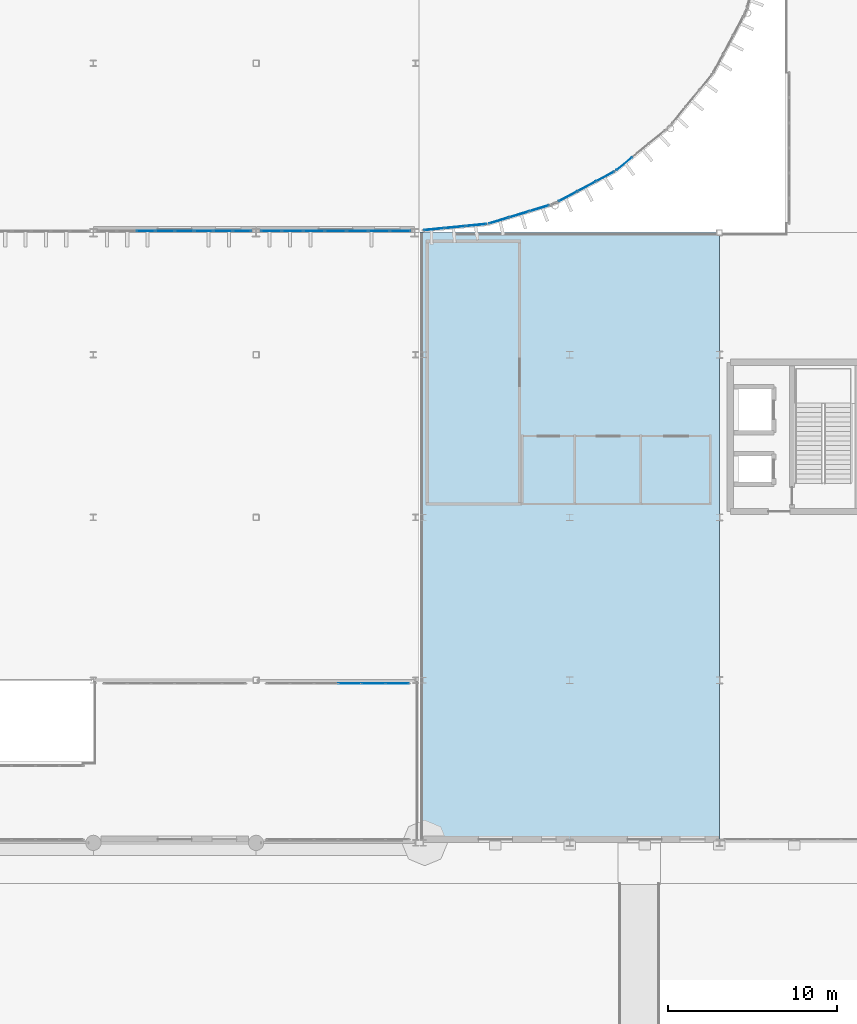
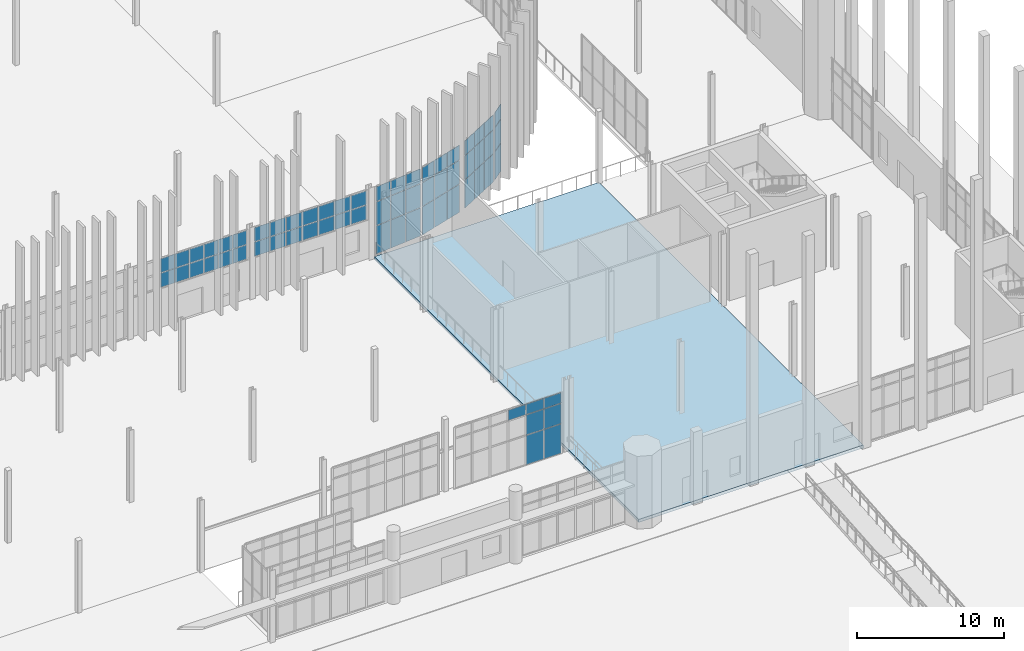
# One storey, part 81 of 139: 63 plates, 1 slab, 7 elements without a shape of their own.
"""IFC4 building model written with IfcOpenShell, lengths in metres."""

from ifc_helpers import new_model, si_unit, direction, frame, origin, origin_2d, place, context, subcontext, project, spatial, polyline, rectangle, outline, extrude, material, layer, layer_set, type_object, element, aggregate, save


model = new_model("IFC4")

# Units and contexts
model_context = context("Model", 3, precision=1e-05, world=origin(), true_north=direction((0.0, 1.0)))
body_context = subcontext(model_context, "Body", "Model", "MODEL_VIEW")
ifc_project = project(units=[si_unit("LENGTHUNIT", "METRE"), si_unit("AREAUNIT", "SQUARE_METRE"), si_unit("VOLUMEUNIT", "CUBIC_METRE"), si_unit("PLANEANGLEUNIT", "RADIAN"), si_unit("MASSUNIT", "GRAM", prefix="KILO")], contexts=[model_context])

# Site, building, storey
site_placement = place(None, origin())
site = spatial("IfcSite", under=ifc_project, at=site_placement, CompositionType="ELEMENT")
building_placement = place(site_placement, origin())
building = spatial("IfcBuilding", under=site, at=building_placement, Name="Yeouljin Market Hall", CompositionType="ELEMENT")
storey_placement = place(building_placement, origin())
storey = spatial("IfcBuildingStorey", under=building, at=storey_placement, Name="L00", CompositionType="ELEMENT", Elevation=0.0)

# Curtain wall, plates
ifc_material_1 = material(Name="Thermally Broken Aluminium", Category="aluminium")
ifc_layer_1 = layer(ifc_material_1, 0.179931640625)
ifc_layer_set_1 = layer_set([ifc_layer_1], Name="Thermally Broken Aluminium")
curtain_wall_type_1 = type_object("IfcCurtainWallType", Name="CW_ApseCurved_System", PredefinedType="USERDEFINED", material=ifc_layer_set_1)
curtain_wall_1_placement = place(storey_placement, origin())
curtain_wall_1 = element("IfcCurtainWall", 1, at=curtain_wall_1_placement, inside=storey, type_object=curtain_wall_type_1, Name="Curtain wall CW-AP-EL00-01", ObjectType="CURTAIN WALL", PredefinedType="USERDEFINED")
ifc_material_2 = material(Name="Low-E Insulated Glass", Category="glass")
ifc_layer_2 = layer(ifc_material_2, 0.031982421875)
ifc_layer_set_2 = layer_set([ifc_layer_2], Name="Low-E Insulated Glass")
plate_type_1 = type_object("IfcPlateType", Name="CWPanel_AcousticGlass_32", PredefinedType="CURTAIN_PANEL", material=ifc_layer_set_2)
plate_1_placement = place(storey_placement, frame((144.39599609375, 36.45458984375, 0.0478515625), z_axis=(0.0, 0.0, 1.0), x_axis=(-0.995183051807, -0.09803414403, 0.0)))
plate_1 = element("IfcPlate", 2, at=plate_1_placement, type_object=plate_type_1, Name="CW-03 panel 1.1", PredefinedType="CURTAIN_PANEL", context=body_context, shape_type="SweptSolid", body=[
    extrude(rectangle(XDim=1.185791015625, YDim=0.031982421875, at=origin_2d()), origin(), (0.0, 0.0, 1.0), 2.327880859375),
])
plate_2_placement = place(storey_placement, frame((144.39599609375, 36.45458984375, 2.423828125), z_axis=(0.0, 0.0, 1.0), x_axis=(-0.995183051807, -0.09803414403, 0.0)))
plate_2 = element("IfcPlate", 3, at=plate_2_placement, type_object=plate_type_1, Name="CW-03 panel 1.2", PredefinedType="CURTAIN_PANEL", context=body_context, shape_type="SweptSolid", body=[
    extrude(rectangle(XDim=1.185791015625, YDim=0.031982421875, at=origin_2d()), origin(), (0.0, 0.0, 1.0), 1.951904296875),
])
plate_3_placement = place(storey_placement, frame((144.39599609375, 36.45458984375, 4.424072265625), z_axis=(0.0, 0.0, 1.0), x_axis=(-0.995183051807, -0.09803414403, 0.0)))
plate_3 = element("IfcPlate", 4, at=plate_3_placement, type_object=plate_type_1, Name="CW-03 panel 1.3", PredefinedType="CURTAIN_PANEL", context=body_context, shape_type="SweptSolid", body=[
    extrude(rectangle(XDim=1.185791015625, YDim=0.031982421875, at=origin_2d()), origin(), (0.0, 0.0, 1.0), 1.2080078125),
])
plate_4_placement = place(storey_placement, frame((143.15625, 36.332275390625, 0.0478515625), z_axis=(0.0, 0.0, 1.0), x_axis=(-0.995183051807, -0.09803414403, 0.0)))
plate_4 = element("IfcPlate", 5, at=plate_4_placement, type_object=plate_type_1, Name="CW-03 panel 2.1", PredefinedType="CURTAIN_PANEL", context=body_context, shape_type="SweptSolid", body=[
    extrude(rectangle(XDim=1.209716796875, YDim=0.031982421875, at=origin_2d()), origin(), (0.0, 0.0, 1.0), 2.327880859375),
])
plate_5_placement = place(storey_placement, frame((143.15625, 36.332275390625, 2.423828125), z_axis=(0.0, 0.0, 1.0), x_axis=(-0.995183051807, -0.09803414403, 0.0)))
plate_5 = element("IfcPlate", 6, at=plate_5_placement, type_object=plate_type_1, Name="CW-03 panel 2.2", PredefinedType="CURTAIN_PANEL", context=body_context, shape_type="SweptSolid", body=[
    extrude(rectangle(XDim=1.209716796875, YDim=0.031982421875, at=origin_2d()), origin(), (0.0, 0.0, 1.0), 1.951904296875),
])
plate_6_placement = place(storey_placement, frame((143.15625, 36.332275390625, 4.424072265625), z_axis=(0.0, 0.0, 1.0), x_axis=(-0.995183051807, -0.09803414403, 0.0)))
plate_6 = element("IfcPlate", 7, at=plate_6_placement, type_object=plate_type_1, Name="CW-03 panel 2.3", PredefinedType="CURTAIN_PANEL", context=body_context, shape_type="SweptSolid", body=[
    extrude(rectangle(XDim=1.209716796875, YDim=0.031982421875, at=origin_2d()), origin(), (0.0, 0.0, 1.0), 1.2080078125),
])
plate_7_placement = place(storey_placement, frame((141.91650390625, 36.210205078125, 0.0478515625), z_axis=(0.0, 0.0, 1.0), x_axis=(-0.995183051807, -0.09803414403, 0.0)))
plate_7 = element("IfcPlate", 8, at=plate_7_placement, type_object=plate_type_1, Name="CW-03 panel 3.1", PredefinedType="CURTAIN_PANEL", context=body_context, shape_type="SweptSolid", body=[
    extrude(rectangle(XDim=1.185791015625, YDim=0.031982421875, at=origin_2d()), origin(), (0.0, 0.0, 1.0), 2.327880859375),
])
plate_8_placement = place(storey_placement, frame((141.91650390625, 36.210205078125, 2.423828125), z_axis=(0.0, 0.0, 1.0), x_axis=(-0.995183051807, -0.09803414403, 0.0)))
plate_8 = element("IfcPlate", 9, at=plate_8_placement, type_object=plate_type_1, Name="CW-03 panel 3.2", PredefinedType="CURTAIN_PANEL", context=body_context, shape_type="SweptSolid", body=[
    extrude(rectangle(XDim=1.185791015625, YDim=0.031982421875, at=origin_2d()), origin(), (0.0, 0.0, 1.0), 1.951904296875),
])
plate_9_placement = place(storey_placement, frame((141.91650390625, 36.210205078125, 4.424072265625), z_axis=(0.0, 0.0, 1.0), x_axis=(-0.995183051807, -0.09803414403, 0.0)))
plate_9 = element("IfcPlate", 10, at=plate_9_placement, type_object=plate_type_1, Name="CW-03 panel 3.3", PredefinedType="CURTAIN_PANEL", context=body_context, shape_type="SweptSolid", body=[
    extrude(rectangle(XDim=1.185791015625, YDim=0.031982421875, at=origin_2d()), origin(), (0.0, 0.0, 1.0), 1.2080078125),
])
aggregate(curtain_wall_1, [plate_1, plate_2, plate_3, plate_4, plate_5, plate_6, plate_7, plate_8, plate_9])

curtain_wall_2_placement = place(storey_placement, origin())
curtain_wall_2 = element("IfcCurtainWall", 11, at=curtain_wall_2_placement, inside=storey, type_object=curtain_wall_type_1, Name="Curtain wall CW-AP-EL00-02", ObjectType="CURTAIN WALL", PredefinedType="USERDEFINED")
plate_10_placement = place(storey_placement, frame((148.109130859375, 37.442138671875, 0.0478515625), z_axis=(0.0, 0.0, 1.0), x_axis=(-0.95693988447, -0.290286164863, 0.0)))
plate_10 = element("IfcPlate", 12, at=plate_10_placement, type_object=plate_type_1, Name="CW-03 panel 1.1", PredefinedType="CURTAIN_PANEL", context=body_context, shape_type="SweptSolid", body=[
    extrude(rectangle(XDim=1.185791015625, YDim=0.031982421875, at=origin_2d()), origin(), (0.0, 0.0, 1.0), 2.327880859375),
])
plate_11_placement = place(storey_placement, frame((148.109130859375, 37.442138671875, 2.423828125), z_axis=(0.0, 0.0, 1.0), x_axis=(-0.95693988447, -0.290286164863, 0.0)))
plate_11 = element("IfcPlate", 13, at=plate_11_placement, type_object=plate_type_1, Name="CW-03 panel 1.2", PredefinedType="CURTAIN_PANEL", context=body_context, shape_type="SweptSolid", body=[
    extrude(rectangle(XDim=1.185791015625, YDim=0.031982421875, at=origin_2d()), origin(), (0.0, 0.0, 1.0), 1.951904296875),
])
plate_12_placement = place(storey_placement, frame((148.109130859375, 37.442138671875, 4.424072265625), z_axis=(0.0, 0.0, 1.0), x_axis=(-0.95693988447, -0.290286164863, 0.0)))
plate_12 = element("IfcPlate", 14, at=plate_12_placement, type_object=plate_type_1, Name="CW-03 panel 1.3", PredefinedType="CURTAIN_PANEL", context=body_context, shape_type="SweptSolid", body=[
    extrude(rectangle(XDim=1.185791015625, YDim=0.031982421875, at=origin_2d()), origin(), (0.0, 0.0, 1.0), 1.2080078125),
])
plate_13_placement = place(storey_placement, frame((146.917236328125, 37.08056640625, 0.0478515625), z_axis=(0.0, 0.0, 1.0), x_axis=(-0.95693988447, -0.290286164863, 0.0)))
plate_13 = element("IfcPlate", 15, at=plate_13_placement, type_object=plate_type_1, Name="CW-03 panel 2.1", PredefinedType="CURTAIN_PANEL", context=body_context, shape_type="SweptSolid", body=[
    extrude(rectangle(XDim=1.209716796875, YDim=0.031982421875, at=origin_2d()), origin(), (0.0, 0.0, 1.0), 2.327880859375),
])
plate_14_placement = place(storey_placement, frame((146.917236328125, 37.08056640625, 2.423828125), z_axis=(0.0, 0.0, 1.0), x_axis=(-0.95693988447, -0.290286164863, 0.0)))
plate_14 = element("IfcPlate", 16, at=plate_14_placement, type_object=plate_type_1, Name="CW-03 panel 2.2", PredefinedType="CURTAIN_PANEL", context=body_context, shape_type="SweptSolid", body=[
    extrude(rectangle(XDim=1.209716796875, YDim=0.031982421875, at=origin_2d()), origin(), (0.0, 0.0, 1.0), 1.951904296875),
])
plate_15_placement = place(storey_placement, frame((146.917236328125, 37.08056640625, 4.424072265625), z_axis=(0.0, 0.0, 1.0), x_axis=(-0.95693988447, -0.290286164863, 0.0)))
plate_15 = element("IfcPlate", 17, at=plate_15_placement, type_object=plate_type_1, Name="CW-03 panel 2.3", PredefinedType="CURTAIN_PANEL", context=body_context, shape_type="SweptSolid", body=[
    extrude(rectangle(XDim=1.209716796875, YDim=0.031982421875, at=origin_2d()), origin(), (0.0, 0.0, 1.0), 1.2080078125),
])
plate_16_placement = place(storey_placement, frame((145.72509765625, 36.71875, 0.0478515625), z_axis=(0.0, 0.0, 1.0), x_axis=(-0.95693988447, -0.290286164863, 0.0)))
plate_16 = element("IfcPlate", 18, at=plate_16_placement, type_object=plate_type_1, Name="CW-03 panel 3.1", PredefinedType="CURTAIN_PANEL", context=body_context, shape_type="SweptSolid", body=[
    extrude(rectangle(XDim=1.185791015625, YDim=0.031982421875, at=origin_2d()), origin(), (0.0, 0.0, 1.0), 2.327880859375),
])
plate_17_placement = place(storey_placement, frame((145.72509765625, 36.71875, 2.423828125), z_axis=(0.0, 0.0, 1.0), x_axis=(-0.95693988447, -0.290286164863, 0.0)))
plate_17 = element("IfcPlate", 19, at=plate_17_placement, type_object=plate_type_1, Name="CW-03 panel 3.2", PredefinedType="CURTAIN_PANEL", context=body_context, shape_type="SweptSolid", body=[
    extrude(rectangle(XDim=1.185791015625, YDim=0.031982421875, at=origin_2d()), origin(), (0.0, 0.0, 1.0), 1.951904296875),
])
plate_18_placement = place(storey_placement, frame((145.72509765625, 36.71875, 4.424072265625), z_axis=(0.0, 0.0, 1.0), x_axis=(-0.95693988447, -0.290286164863, 0.0)))
plate_18 = element("IfcPlate", 20, at=plate_18_placement, type_object=plate_type_1, Name="CW-03 panel 3.3", PredefinedType="CURTAIN_PANEL", context=body_context, shape_type="SweptSolid", body=[
    extrude(rectangle(XDim=1.185791015625, YDim=0.031982421875, at=origin_2d()), origin(), (0.0, 0.0, 1.0), 1.2080078125),
])
aggregate(curtain_wall_2, [plate_10, plate_11, plate_12, plate_13, plate_14, plate_15, plate_16, plate_17, plate_18])

curtain_wall_3_placement = place(storey_placement, origin())
curtain_wall_3 = element("IfcCurtainWall", 21, at=curtain_wall_3_placement, inside=storey, type_object=curtain_wall_type_1, Name="Curtain wall CW-AP-EL00-03", ObjectType="CURTAIN WALL", PredefinedType="USERDEFINED")
plate_19_placement = place(storey_placement, frame((151.999755859375, 39.31787109375, 0.0478515625), z_axis=(0.0, 0.0, 1.0), x_axis=(-0.881931478712, -0.471377626598, 0.0)))
plate_19 = element("IfcPlate", 22, at=plate_19_placement, type_object=plate_type_1, Name="CW-03 panel 1.1", PredefinedType="CURTAIN_PANEL", context=body_context, shape_type="SweptSolid", body=[
    extrude(rectangle(XDim=1.185791015625, YDim=0.031982421875, at=origin_2d()), origin(), (0.0, 0.0, 1.0), 2.327880859375),
])
plate_20_placement = place(storey_placement, frame((151.999755859375, 39.31787109375, 2.423828125), z_axis=(0.0, 0.0, 1.0), x_axis=(-0.881931478712, -0.471377626598, 0.0)))
plate_20 = element("IfcPlate", 23, at=plate_20_placement, type_object=plate_type_1, Name="CW-03 panel 1.2", PredefinedType="CURTAIN_PANEL", context=body_context, shape_type="SweptSolid", body=[
    extrude(rectangle(XDim=1.185791015625, YDim=0.031982421875, at=origin_2d()), origin(), (0.0, 0.0, 1.0), 1.951904296875),
])
plate_21_placement = place(storey_placement, frame((151.999755859375, 39.31787109375, 4.424072265625), z_axis=(0.0, 0.0, 1.0), x_axis=(-0.881931478712, -0.471377626598, 0.0)))
plate_21 = element("IfcPlate", 24, at=plate_21_placement, type_object=plate_type_1, Name="CW-03 panel 1.3", PredefinedType="CURTAIN_PANEL", context=body_context, shape_type="SweptSolid", body=[
    extrude(rectangle(XDim=1.185791015625, YDim=0.031982421875, at=origin_2d()), origin(), (0.0, 0.0, 1.0), 1.2080078125),
])
plate_22_placement = place(storey_placement, frame((150.901123046875, 38.730712890625, 0.0478515625), z_axis=(0.0, 0.0, 1.0), x_axis=(-0.881931478712, -0.471377626598, 0.0)))
plate_22 = element("IfcPlate", 25, at=plate_22_placement, type_object=plate_type_1, Name="CW-03 panel 2.1", PredefinedType="CURTAIN_PANEL", context=body_context, shape_type="SweptSolid", body=[
    extrude(rectangle(XDim=1.209716796875, YDim=0.031982421875, at=origin_2d()), origin(), (0.0, 0.0, 1.0), 2.327880859375),
])
plate_23_placement = place(storey_placement, frame((150.901123046875, 38.730712890625, 2.423828125), z_axis=(0.0, 0.0, 1.0), x_axis=(-0.881931478712, -0.471377626598, 0.0)))
plate_23 = element("IfcPlate", 26, at=plate_23_placement, type_object=plate_type_1, Name="CW-03 panel 2.2", PredefinedType="CURTAIN_PANEL", context=body_context, shape_type="SweptSolid", body=[
    extrude(rectangle(XDim=1.209716796875, YDim=0.031982421875, at=origin_2d()), origin(), (0.0, 0.0, 1.0), 1.951904296875),
])
plate_24_placement = place(storey_placement, frame((150.901123046875, 38.730712890625, 4.424072265625), z_axis=(0.0, 0.0, 1.0), x_axis=(-0.881931478712, -0.471377626598, 0.0)))
plate_24 = element("IfcPlate", 27, at=plate_24_placement, type_object=plate_type_1, Name="CW-03 panel 2.3", PredefinedType="CURTAIN_PANEL", context=body_context, shape_type="SweptSolid", body=[
    extrude(rectangle(XDim=1.209716796875, YDim=0.031982421875, at=origin_2d()), origin(), (0.0, 0.0, 1.0), 1.2080078125),
])
plate_25_placement = place(storey_placement, frame((149.802490234375, 38.1435546875, 0.0478515625), z_axis=(0.0, 0.0, 1.0), x_axis=(-0.881931478712, -0.471377626598, 0.0)))
plate_25 = element("IfcPlate", 28, at=plate_25_placement, type_object=plate_type_1, Name="CW-03 panel 3.1", PredefinedType="CURTAIN_PANEL", context=body_context, shape_type="SweptSolid", body=[
    extrude(rectangle(XDim=1.185791015625, YDim=0.031982421875, at=origin_2d()), origin(), (0.0, 0.0, 1.0), 2.327880859375),
])
plate_26_placement = place(storey_placement, frame((149.802490234375, 38.1435546875, 2.423828125), z_axis=(0.0, 0.0, 1.0), x_axis=(-0.881931478712, -0.471377626598, 0.0)))
plate_26 = element("IfcPlate", 29, at=plate_26_placement, type_object=plate_type_1, Name="CW-03 panel 3.2", PredefinedType="CURTAIN_PANEL", context=body_context, shape_type="SweptSolid", body=[
    extrude(rectangle(XDim=1.185791015625, YDim=0.031982421875, at=origin_2d()), origin(), (0.0, 0.0, 1.0), 1.951904296875),
])
plate_27_placement = place(storey_placement, frame((149.802490234375, 38.1435546875, 4.424072265625), z_axis=(0.0, 0.0, 1.0), x_axis=(-0.881931478712, -0.471377626598, 0.0)))
plate_27 = element("IfcPlate", 30, at=plate_27_placement, type_object=plate_type_1, Name="CW-03 panel 3.3", PredefinedType="CURTAIN_PANEL", context=body_context, shape_type="SweptSolid", body=[
    extrude(rectangle(XDim=1.185791015625, YDim=0.031982421875, at=origin_2d()), origin(), (0.0, 0.0, 1.0), 1.2080078125),
])
aggregate(curtain_wall_3, [plate_19, plate_20, plate_21, plate_22, plate_23, plate_24, plate_25, plate_26, plate_27])

curtain_wall_4_placement = place(storey_placement, origin())
curtain_wall_4 = element("IfcCurtainWall", 31, at=curtain_wall_4_placement, inside=storey, type_object=curtain_wall_type_1, Name="Curtain wall CW-AP-EL00-04", ObjectType="CURTAIN WALL", PredefinedType="USERDEFINED")
plate_28_placement = place(storey_placement, frame((153.126708984375, 40.07080078125, 0.0478515625), z_axis=(0.0, 0.0, 1.0), x_axis=(-0.773017717982, -0.634384432096, 0.0)))
plate_28 = element("IfcPlate", 32, at=plate_28_placement, type_object=plate_type_1, Name="CW-03 panel 3.1", PredefinedType="CURTAIN_PANEL", context=body_context, shape_type="SweptSolid", body=[
    extrude(rectangle(XDim=1.185791015625, YDim=0.031982421875, at=origin_2d()), origin(), (0.0, 0.0, 1.0), 2.327880859375),
])
plate_29_placement = place(storey_placement, frame((153.126708984375, 40.07080078125, 2.423828125), z_axis=(0.0, 0.0, 1.0), x_axis=(-0.773017717982, -0.634384432096, 0.0)))
plate_29 = element("IfcPlate", 33, at=plate_29_placement, type_object=plate_type_1, Name="CW-03 panel 3.2", PredefinedType="CURTAIN_PANEL", context=body_context, shape_type="SweptSolid", body=[
    extrude(rectangle(XDim=1.185791015625, YDim=0.031982421875, at=origin_2d()), origin(), (0.0, 0.0, 1.0), 1.951904296875),
])
plate_30_placement = place(storey_placement, frame((153.126708984375, 40.07080078125, 4.424072265625), z_axis=(0.0, 0.0, 1.0), x_axis=(-0.773017717982, -0.634384432096, 0.0)))
plate_30 = element("IfcPlate", 34, at=plate_30_placement, type_object=plate_type_1, Name="CW-03 panel 3.3", PredefinedType="CURTAIN_PANEL", context=body_context, shape_type="SweptSolid", body=[
    extrude(rectangle(XDim=1.185791015625, YDim=0.031982421875, at=origin_2d()), origin(), (0.0, 0.0, 1.0), 1.2080078125),
])
aggregate(curtain_wall_4, [plate_28, plate_29, plate_30])

ifc_material_3 = material(Name="Thermally Broken Aluminium", Category="aluminium")
ifc_layer_3 = layer(ifc_material_3, 0.179931640625)
ifc_layer_set_3 = layer_set([ifc_layer_3], Name="Thermally Broken Aluminium")
curtain_wall_type_2 = type_object("IfcCurtainWallType", Name="CW_HallNave_System", PredefinedType="USERDEFINED", material=ifc_layer_set_3)
curtain_wall_5_placement = place(storey_placement, origin())
curtain_wall_5 = element("IfcCurtainWall", 35, at=curtain_wall_5_placement, inside=storey, type_object=curtain_wall_type_2, Name="Curtain wall CW-V1S-L00-10", ObjectType="CURTAIN WALL", PredefinedType="USERDEFINED")
ifc_material_4 = material(Name="Low-E Insulated Glass", Category="glass")
ifc_layer_4 = layer(ifc_material_4, 0.028076171875)
ifc_layer_set_4 = layer_set([ifc_layer_4], Name="Low-E Insulated Glass")
plate_type_2 = type_object("IfcPlateType", Name="CWPanel_LowE_28", PredefinedType="CURTAIN_PANEL", material=ifc_layer_set_4)
plate_31_placement = place(storey_placement, frame((130.5693359375, 36.10009765625, 3.248046875), z_axis=(0.0, 0.0, 1.0), x_axis=(-1.0, 0.0, 0.0)))
plate_31 = element("IfcPlate", 36, at=plate_31_placement, type_object=plate_type_2, Name="CW-01 panel 1.1", PredefinedType="CURTAIN_PANEL", context=body_context, shape_type="SweptSolid", body=[
    extrude(rectangle(XDim=1.0654296875, YDim=0.028076171875, at=origin_2d()), origin(), (0.0, 0.0, 1.0), 1.177978515625),
])
plate_32_placement = place(storey_placement, frame((130.5693359375, 36.10009765625, 4.47412109375), z_axis=(0.0, 0.0, 1.0), x_axis=(-1.0, 0.0, 0.0)))
plate_32 = element("IfcPlate", 37, at=plate_32_placement, type_object=plate_type_2, Name="CW-01 panel 1.2", PredefinedType="CURTAIN_PANEL", context=body_context, shape_type="SweptSolid", body=[
    extrude(rectangle(XDim=1.0654296875, YDim=0.028076171875, at=origin_2d()), origin(), (0.0, 0.0, 1.0), 1.157958984375),
])
plate_33_placement = place(storey_placement, frame((129.44384765625, 36.10009765625, 3.248046875), z_axis=(0.0, 0.0, 1.0), x_axis=(-1.0, 0.0, 0.0)))
plate_33 = element("IfcPlate", 38, at=plate_33_placement, type_object=plate_type_2, Name="CW-01 panel 2.1", PredefinedType="CURTAIN_PANEL", context=body_context, shape_type="SweptSolid", body=[
    extrude(rectangle(XDim=1.089599609375, YDim=0.028076171875, at=origin_2d()), origin(), (0.0, 0.0, 1.0), 1.177978515625),
])
plate_34_placement = place(storey_placement, frame((129.44384765625, 36.10009765625, 4.47412109375), z_axis=(0.0, 0.0, 1.0), x_axis=(-1.0, 0.0, 0.0)))
plate_34 = element("IfcPlate", 39, at=plate_34_placement, type_object=plate_type_2, Name="CW-01 panel 2.2", PredefinedType="CURTAIN_PANEL", context=body_context, shape_type="SweptSolid", body=[
    extrude(rectangle(XDim=1.089599609375, YDim=0.028076171875, at=origin_2d()), origin(), (0.0, 0.0, 1.0), 1.157958984375),
])
plate_35_placement = place(storey_placement, frame((128.30615234375, 36.10009765625, 3.248046875), z_axis=(0.0, 0.0, 1.0), x_axis=(-1.0, 0.0, 0.0)))
plate_35 = element("IfcPlate", 40, at=plate_35_placement, type_object=plate_type_2, Name="CW-01 panel 3.1", PredefinedType="CURTAIN_PANEL", context=body_context, shape_type="SweptSolid", body=[
    extrude(rectangle(XDim=1.089599609375, YDim=0.028076171875, at=origin_2d()), origin(), (0.0, 0.0, 1.0), 1.177978515625),
])
plate_36_placement = place(storey_placement, frame((128.30615234375, 36.10009765625, 4.47412109375), z_axis=(0.0, 0.0, 1.0), x_axis=(-1.0, 0.0, 0.0)))
plate_36 = element("IfcPlate", 41, at=plate_36_placement, type_object=plate_type_2, Name="CW-01 panel 3.2", PredefinedType="CURTAIN_PANEL", context=body_context, shape_type="SweptSolid", body=[
    extrude(rectangle(XDim=1.089599609375, YDim=0.028076171875, at=origin_2d()), origin(), (0.0, 0.0, 1.0), 1.157958984375),
])
plate_37_placement = place(storey_placement, frame((127.168701171875, 36.10009765625, 3.248046875), z_axis=(0.0, 0.0, 1.0), x_axis=(-1.0, 0.0, 0.0)))
plate_37 = element("IfcPlate", 42, at=plate_37_placement, type_object=plate_type_2, Name="CW-01 panel 4.1", PredefinedType="CURTAIN_PANEL", context=body_context, shape_type="SweptSolid", body=[
    extrude(rectangle(XDim=1.089599609375, YDim=0.028076171875, at=origin_2d()), origin(), (0.0, 0.0, 1.0), 1.177978515625),
])
plate_38_placement = place(storey_placement, frame((127.168701171875, 36.10009765625, 4.47412109375), z_axis=(0.0, 0.0, 1.0), x_axis=(-1.0, 0.0, 0.0)))
plate_38 = element("IfcPlate", 43, at=plate_38_placement, type_object=plate_type_2, Name="CW-01 panel 4.2", PredefinedType="CURTAIN_PANEL", context=body_context, shape_type="SweptSolid", body=[
    extrude(rectangle(XDim=1.089599609375, YDim=0.028076171875, at=origin_2d()), origin(), (0.0, 0.0, 1.0), 1.157958984375),
])
plate_39_placement = place(storey_placement, frame((126.03125, 36.10009765625, 3.248046875), z_axis=(0.0, 0.0, 1.0), x_axis=(-1.0, 0.0, 0.0)))
plate_39 = element("IfcPlate", 44, at=plate_39_placement, type_object=plate_type_2, Name="CW-01 panel 5.1", PredefinedType="CURTAIN_PANEL", context=body_context, shape_type="SweptSolid", body=[
    extrude(rectangle(XDim=1.089599609375, YDim=0.028076171875, at=origin_2d()), origin(), (0.0, 0.0, 1.0), 1.177978515625),
])
plate_40_placement = place(storey_placement, frame((126.03125, 36.10009765625, 4.47412109375), z_axis=(0.0, 0.0, 1.0), x_axis=(-1.0, 0.0, 0.0)))
plate_40 = element("IfcPlate", 45, at=plate_40_placement, type_object=plate_type_2, Name="CW-01 panel 5.2", PredefinedType="CURTAIN_PANEL", context=body_context, shape_type="SweptSolid", body=[
    extrude(rectangle(XDim=1.089599609375, YDim=0.028076171875, at=origin_2d()), origin(), (0.0, 0.0, 1.0), 1.157958984375),
])
plate_41_placement = place(storey_placement, frame((124.893798828125, 36.10009765625, 3.248046875), z_axis=(0.0, 0.0, 1.0), x_axis=(-1.0, 0.0, 0.0)))
plate_41 = element("IfcPlate", 46, at=plate_41_placement, type_object=plate_type_2, Name="CW-01 panel 6.1", PredefinedType="CURTAIN_PANEL", context=body_context, shape_type="SweptSolid", body=[
    extrude(rectangle(XDim=1.089599609375, YDim=0.028076171875, at=origin_2d()), origin(), (0.0, 0.0, 1.0), 1.177978515625),
])
plate_42_placement = place(storey_placement, frame((124.893798828125, 36.10009765625, 4.47412109375), z_axis=(0.0, 0.0, 1.0), x_axis=(-1.0, 0.0, 0.0)))
plate_42 = element("IfcPlate", 47, at=plate_42_placement, type_object=plate_type_2, Name="CW-01 panel 6.2", PredefinedType="CURTAIN_PANEL", context=body_context, shape_type="SweptSolid", body=[
    extrude(rectangle(XDim=1.089599609375, YDim=0.028076171875, at=origin_2d()), origin(), (0.0, 0.0, 1.0), 1.157958984375),
])
aggregate(curtain_wall_5, [plate_31, plate_32, plate_33, plate_34, plate_35, plate_36, plate_37, plate_38, plate_39, plate_40, plate_41, plate_42])

curtain_wall_6_placement = place(storey_placement, origin())
curtain_wall_6 = element("IfcCurtainWall", 48, at=curtain_wall_6_placement, inside=storey, type_object=curtain_wall_type_2, Name="Curtain wall CW-V1S-L00-11", ObjectType="CURTAIN WALL", PredefinedType="USERDEFINED")
plate_43_placement = place(storey_placement, frame((139.90234375, 36.10009765625, 3.248046875), z_axis=(0.0, 0.0, 1.0), x_axis=(-1.0, 0.0, 0.0)))
plate_43 = element("IfcPlate", 49, at=plate_43_placement, type_object=plate_type_2, Name="CW-01 panel 1.1", PredefinedType="CURTAIN_PANEL", context=body_context, shape_type="SweptSolid", body=[
    extrude(rectangle(XDim=1.199462890625, YDim=0.028076171875, at=origin_2d()), origin(), (0.0, 0.0, 1.0), 1.177978515625),
])
plate_44_placement = place(storey_placement, frame((139.90234375, 36.10009765625, 4.47412109375), z_axis=(0.0, 0.0, 1.0), x_axis=(-1.0, 0.0, 0.0)))
plate_44 = element("IfcPlate", 50, at=plate_44_placement, type_object=plate_type_2, Name="CW-01 panel 1.2", PredefinedType="CURTAIN_PANEL", context=body_context, shape_type="SweptSolid", body=[
    extrude(rectangle(XDim=1.199462890625, YDim=0.028076171875, at=origin_2d()), origin(), (0.0, 0.0, 1.0), 1.157958984375),
])
plate_45_placement = place(storey_placement, frame((138.642822265625, 36.10009765625, 3.248046875), z_axis=(0.0, 0.0, 1.0), x_axis=(-1.0, 0.0, 0.0)))
plate_45 = element("IfcPlate", 51, at=plate_45_placement, type_object=plate_type_2, Name="CW-01 panel 2.1", PredefinedType="CURTAIN_PANEL", context=body_context, shape_type="SweptSolid", body=[
    extrude(rectangle(XDim=1.223388671875, YDim=0.028076171875, at=origin_2d()), origin(), (0.0, 0.0, 1.0), 1.177978515625),
])
plate_46_placement = place(storey_placement, frame((138.642822265625, 36.10009765625, 4.47412109375), z_axis=(0.0, 0.0, 1.0), x_axis=(-1.0, 0.0, 0.0)))
plate_46 = element("IfcPlate", 52, at=plate_46_placement, type_object=plate_type_2, Name="CW-01 panel 2.2", PredefinedType="CURTAIN_PANEL", context=body_context, shape_type="SweptSolid", body=[
    extrude(rectangle(XDim=1.223388671875, YDim=0.028076171875, at=origin_2d()), origin(), (0.0, 0.0, 1.0), 1.157958984375),
])
plate_47_placement = place(storey_placement, frame((137.371337890625, 36.10009765625, 3.248046875), z_axis=(0.0, 0.0, 1.0), x_axis=(-1.0, 0.0, 0.0)))
plate_47 = element("IfcPlate", 53, at=plate_47_placement, type_object=plate_type_2, Name="CW-01 panel 3.1", PredefinedType="CURTAIN_PANEL", context=body_context, shape_type="SweptSolid", body=[
    extrude(rectangle(XDim=1.223388671875, YDim=0.028076171875, at=origin_2d()), origin(), (0.0, 0.0, 1.0), 1.177978515625),
])
plate_48_placement = place(storey_placement, frame((137.371337890625, 36.10009765625, 4.47412109375), z_axis=(0.0, 0.0, 1.0), x_axis=(-1.0, 0.0, 0.0)))
plate_48 = element("IfcPlate", 54, at=plate_48_placement, type_object=plate_type_2, Name="CW-01 panel 3.2", PredefinedType="CURTAIN_PANEL", context=body_context, shape_type="SweptSolid", body=[
    extrude(rectangle(XDim=1.223388671875, YDim=0.028076171875, at=origin_2d()), origin(), (0.0, 0.0, 1.0), 1.157958984375),
])
plate_49_placement = place(storey_placement, frame((136.10009765625, 36.10009765625, 3.248046875), z_axis=(0.0, 0.0, 1.0), x_axis=(-1.0, 0.0, 0.0)))
plate_49 = element("IfcPlate", 55, at=plate_49_placement, type_object=plate_type_2, Name="CW-01 panel 4.1", PredefinedType="CURTAIN_PANEL", context=body_context, shape_type="SweptSolid", body=[
    extrude(rectangle(XDim=1.223388671875, YDim=0.028076171875, at=origin_2d()), origin(), (0.0, 0.0, 1.0), 1.177978515625),
])
plate_50_placement = place(storey_placement, frame((136.10009765625, 36.10009765625, 4.47412109375), z_axis=(0.0, 0.0, 1.0), x_axis=(-1.0, 0.0, 0.0)))
plate_50 = element("IfcPlate", 56, at=plate_50_placement, type_object=plate_type_2, Name="CW-01 panel 4.2", PredefinedType="CURTAIN_PANEL", context=body_context, shape_type="SweptSolid", body=[
    extrude(rectangle(XDim=1.223388671875, YDim=0.028076171875, at=origin_2d()), origin(), (0.0, 0.0, 1.0), 1.157958984375),
])
plate_51_placement = place(storey_placement, frame((134.82861328125, 36.10009765625, 3.248046875), z_axis=(0.0, 0.0, 1.0), x_axis=(-1.0, 0.0, 0.0)))
plate_51 = element("IfcPlate", 57, at=plate_51_placement, type_object=plate_type_2, Name="CW-01 panel 5.1", PredefinedType="CURTAIN_PANEL", context=body_context, shape_type="SweptSolid", body=[
    extrude(rectangle(XDim=1.223388671875, YDim=0.028076171875, at=origin_2d()), origin(), (0.0, 0.0, 1.0), 1.177978515625),
])
plate_52_placement = place(storey_placement, frame((134.82861328125, 36.10009765625, 4.47412109375), z_axis=(0.0, 0.0, 1.0), x_axis=(-1.0, 0.0, 0.0)))
plate_52 = element("IfcPlate", 58, at=plate_52_placement, type_object=plate_type_2, Name="CW-01 panel 5.2", PredefinedType="CURTAIN_PANEL", context=body_context, shape_type="SweptSolid", body=[
    extrude(rectangle(XDim=1.223388671875, YDim=0.028076171875, at=origin_2d()), origin(), (0.0, 0.0, 1.0), 1.157958984375),
])
plate_53_placement = place(storey_placement, frame((133.55712890625, 36.10009765625, 3.248046875), z_axis=(0.0, 0.0, 1.0), x_axis=(-1.0, 0.0, 0.0)))
plate_53 = element("IfcPlate", 59, at=plate_53_placement, type_object=plate_type_2, Name="CW-01 panel 6.1", PredefinedType="CURTAIN_PANEL", context=body_context, shape_type="SweptSolid", body=[
    extrude(rectangle(XDim=1.223388671875, YDim=0.028076171875, at=origin_2d()), origin(), (0.0, 0.0, 1.0), 1.177978515625),
])
plate_54_placement = place(storey_placement, frame((133.55712890625, 36.10009765625, 4.47412109375), z_axis=(0.0, 0.0, 1.0), x_axis=(-1.0, 0.0, 0.0)))
plate_54 = element("IfcPlate", 60, at=plate_54_placement, type_object=plate_type_2, Name="CW-01 panel 6.2", PredefinedType="CURTAIN_PANEL", context=body_context, shape_type="SweptSolid", body=[
    extrude(rectangle(XDim=1.223388671875, YDim=0.028076171875, at=origin_2d()), origin(), (0.0, 0.0, 1.0), 1.157958984375),
])
plate_55_placement = place(storey_placement, frame((132.297607421875, 36.10009765625, 3.248046875), z_axis=(0.0, 0.0, 1.0), x_axis=(-1.0, 0.0, 0.0)))
plate_55 = element("IfcPlate", 61, at=plate_55_placement, type_object=plate_type_2, Name="CW-01 panel 7.1", PredefinedType="CURTAIN_PANEL", context=body_context, shape_type="SweptSolid", body=[
    extrude(rectangle(XDim=1.199462890625, YDim=0.028076171875, at=origin_2d()), origin(), (0.0, 0.0, 1.0), 1.177978515625),
])
plate_56_placement = place(storey_placement, frame((132.297607421875, 36.10009765625, 4.47412109375), z_axis=(0.0, 0.0, 1.0), x_axis=(-1.0, 0.0, 0.0)))
plate_56 = element("IfcPlate", 62, at=plate_56_placement, type_object=plate_type_2, Name="CW-01 panel 7.2", PredefinedType="CURTAIN_PANEL", context=body_context, shape_type="SweptSolid", body=[
    extrude(rectangle(XDim=1.199462890625, YDim=0.028076171875, at=origin_2d()), origin(), (0.0, 0.0, 1.0), 1.157958984375),
])
aggregate(curtain_wall_6, [plate_43, plate_44, plate_45, plate_46, plate_47, plate_48, plate_49, plate_50, plate_51, plate_52, plate_53, plate_54, plate_55, plate_56])

ifc_material_5 = material(Name="Thermally Broken Aluminium", Category="aluminium")
ifc_layer_5 = layer(ifc_material_5, 0.14990234375)
ifc_layer_set_5 = layer_set([ifc_layer_5], Name="Thermally Broken Aluminium")
curtain_wall_type_3 = type_object("IfcCurtainWallType", Name="CW_ColonnadeScreen_System", PredefinedType="USERDEFINED", material=ifc_layer_set_5)
curtain_wall_7_placement = place(storey_placement, origin())
curtain_wall_7 = element("IfcCurtainWall", 63, at=curtain_wall_7_placement, inside=storey, type_object=curtain_wall_type_3, Name="Curtain wall CW-V5N-L00-6", ObjectType="CURTAIN WALL", PredefinedType="USERDEFINED")
plate_57_placement = place(storey_placement, frame((136.92919921875, 9.39990234375, 4.22412109375), z_axis=(0.0, 0.0, 1.0), x_axis=(1.0, 0.0, 0.0)))
plate_57 = element("IfcPlate", 64, at=plate_57_placement, type_object=plate_type_2, Name="CW-06 panel 4.3", PredefinedType="CURTAIN_PANEL", context=body_context, shape_type="SweptSolid", body=[
    extrude(rectangle(XDim=1.3603515625, YDim=0.028076171875, at=origin_2d()), origin(), (0.0, 0.0, 1.0), 0.847900390625),
])
plate_58_placement = place(storey_placement, frame((138.33740234375, 9.39990234375, 0.0478515625), z_axis=(0.0, 0.0, 1.0), x_axis=(1.0, 0.0, 0.0)))
plate_58 = element("IfcPlate", 65, at=plate_58_placement, type_object=plate_type_2, Name="CW-06 panel 5.1", PredefinedType="CURTAIN_PANEL", context=body_context, shape_type="SweptSolid", body=[
    extrude(rectangle(XDim=1.3603515625, YDim=0.028076171875, at=origin_2d()), origin(), (0.0, 0.0, 1.0), 2.427978515625),
])
plate_59_placement = place(storey_placement, frame((138.33740234375, 9.39990234375, 2.52392578125), z_axis=(0.0, 0.0, 1.0), x_axis=(1.0, 0.0, 0.0)))
plate_59 = element("IfcPlate", 66, at=plate_59_placement, type_object=plate_type_2, Name="CW-06 panel 5.2", PredefinedType="CURTAIN_PANEL", context=body_context, shape_type="SweptSolid", body=[
    extrude(rectangle(XDim=1.3603515625, YDim=0.028076171875, at=origin_2d()), origin(), (0.0, 0.0, 1.0), 1.652099609375),
])
plate_60_placement = place(storey_placement, frame((138.33740234375, 9.39990234375, 4.22412109375), z_axis=(0.0, 0.0, 1.0), x_axis=(1.0, 0.0, 0.0)))
plate_60 = element("IfcPlate", 67, at=plate_60_placement, type_object=plate_type_2, Name="CW-06 panel 5.3", PredefinedType="CURTAIN_PANEL", context=body_context, shape_type="SweptSolid", body=[
    extrude(rectangle(XDim=1.3603515625, YDim=0.028076171875, at=origin_2d()), origin(), (0.0, 0.0, 1.0), 0.847900390625),
])
plate_61_placement = place(storey_placement, frame((139.73388671875, 9.39990234375, 0.0478515625), z_axis=(0.0, 0.0, 1.0), x_axis=(1.0, 0.0, 0.0)))
plate_61 = element("IfcPlate", 68, at=plate_61_placement, type_object=plate_type_2, Name="CW-06 panel 6.1", PredefinedType="CURTAIN_PANEL", context=body_context, shape_type="SweptSolid", body=[
    extrude(rectangle(XDim=1.33642578125, YDim=0.028076171875, at=origin_2d()), origin(), (0.0, 0.0, 1.0), 2.427978515625),
])
plate_62_placement = place(storey_placement, frame((139.73388671875, 9.39990234375, 2.52392578125), z_axis=(0.0, 0.0, 1.0), x_axis=(1.0, 0.0, 0.0)))
plate_62 = element("IfcPlate", 69, at=plate_62_placement, type_object=plate_type_2, Name="CW-06 panel 6.2", PredefinedType="CURTAIN_PANEL", context=body_context, shape_type="SweptSolid", body=[
    extrude(rectangle(XDim=1.33642578125, YDim=0.028076171875, at=origin_2d()), origin(), (0.0, 0.0, 1.0), 1.652099609375),
])
plate_63_placement = place(storey_placement, frame((139.73388671875, 9.39990234375, 4.22412109375), z_axis=(0.0, 0.0, 1.0), x_axis=(1.0, 0.0, 0.0)))
plate_63 = element("IfcPlate", 70, at=plate_63_placement, type_object=plate_type_2, Name="CW-06 panel 6.3", PredefinedType="CURTAIN_PANEL", context=body_context, shape_type="SweptSolid", body=[
    extrude(rectangle(XDim=1.33642578125, YDim=0.028076171875, at=origin_2d()), origin(), (0.0, 0.0, 1.0), 0.847900390625),
])
aggregate(curtain_wall_7, [plate_57, plate_58, plate_59, plate_60, plate_61, plate_62, plate_63])

# Slab
ifc_material_6 = material(Name="Concrete C30/37", Category="concrete")
ifc_layer_6 = layer(ifc_material_6, 0.25)
ifc_layer_set_6 = layer_set([ifc_layer_6], Name="Concrete C30/37")
slab_type = type_object("IfcSlabType", Name="SLB_WING_250", PredefinedType="FLOOR", material=ifc_layer_set_6)
slab_placement = place(storey_placement, frame((0.0, 0.0, -0.25)))
element("IfcSlab", 71, at=slab_placement, inside=storey, type_object=slab_type, Name="Structural slab SLB-L00-ES1", PredefinedType="FLOOR", context=body_context, shape_type="SweptSolid", body=[
    extrude(outline(polyline([(141.080078125, 0.0), (158.739990234375, 0.0), (158.739990234375, 36.0), (141.080078125, 36.0), (141.080078125, 0.0)])), origin(), (0.0, 0.0, 1.0), 0.25),
])

save(model, "model.ifc")
